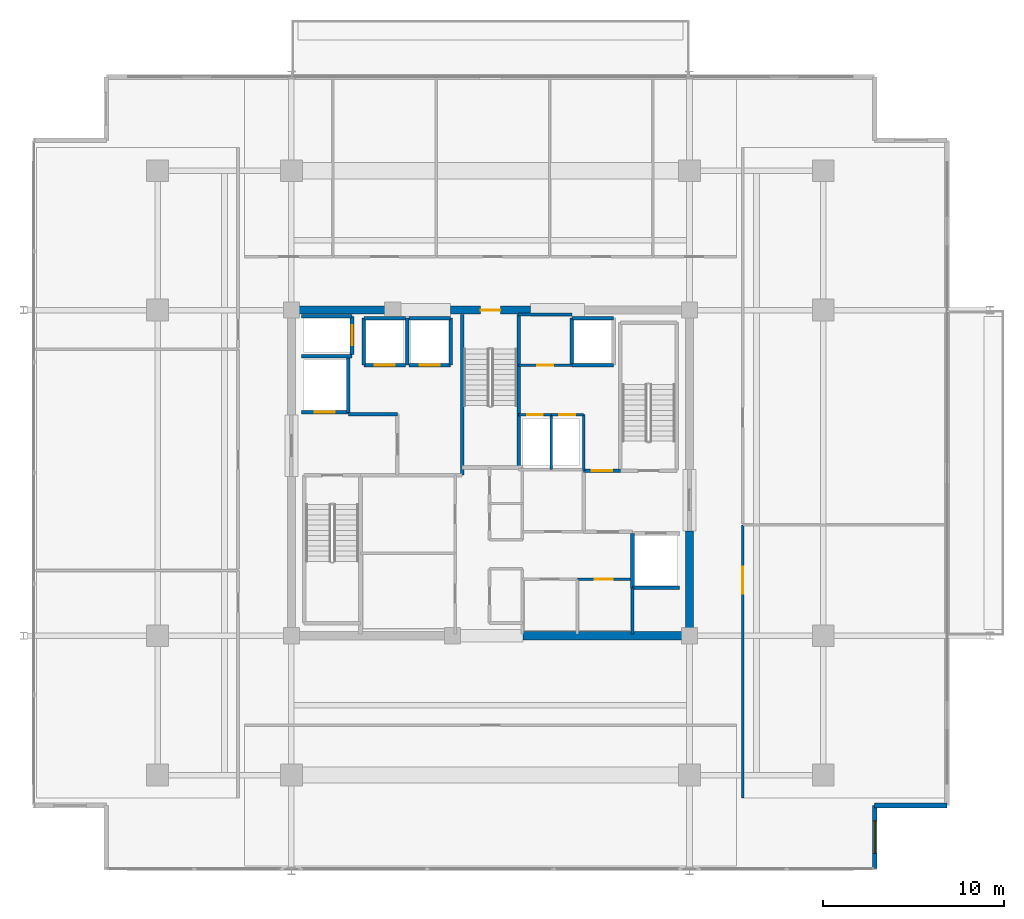
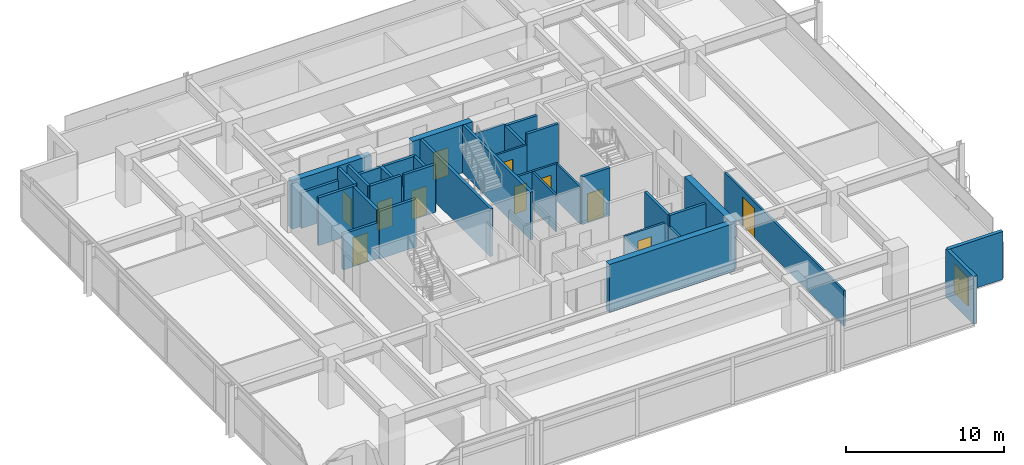
# One storey, part 14 of 20: 36 walls, 11 doors, 1 window, 12 openings.
"""IFC4 building model written with IfcOpenShell, lengths in metres."""

from ifc_helpers import new_model, si_unit, direction, frame, frame_2d, origin, place, context, subcontext, project, spatial, rectangle, extrude, material, layer, layer_set, type_object, element, fill, save


model = new_model("IFC4")

# Units and contexts
model_context = context("Model", 3, precision=1e-05, world=origin(), true_north=direction((0.0, 1.0)))
body_context = subcontext(model_context, "Body", "Model", "MODEL_VIEW")
ifc_project = project(units=[si_unit("LENGTHUNIT", "METRE"), si_unit("AREAUNIT", "SQUARE_METRE"), si_unit("VOLUMEUNIT", "CUBIC_METRE"), si_unit("PLANEANGLEUNIT", "RADIAN"), si_unit("MASSUNIT", "GRAM", prefix="KILO")], contexts=[model_context])

# Site, building, storey
site_placement = place(None, origin())
site = spatial("IfcSite", under=ifc_project, at=site_placement, CompositionType="ELEMENT")
building_placement = place(site_placement, origin())
building = spatial("IfcBuilding", under=site, at=building_placement, Name="Kovane Verandah Tower", CompositionType="ELEMENT")
storey_placement = place(building_placement, frame((0.0, 0.0, 291.199951171875)))
storey = spatial("IfcBuildingStorey", under=building, at=storey_placement, Name="L68", CompositionType="ELEMENT", Elevation=291.199951171875)

# Wall
ifc_material_1 = material(Name="Fire-Rated Gypsum Stud Partition", Category="gypsum")
ifc_layer_1 = layer(ifc_material_1, 0.14990234375)
ifc_layer_set_1 = layer_set([ifc_layer_1], Name="Fire-Rated Gypsum Stud Partition")
wall_type_1 = type_object("IfcWallType", Name="WL-COR-150", PredefinedType="PARTITIONING", material=ifc_layer_set_1)
wall_1_placement = place(storey_placement, frame((47.85009765625, 18.60009765625, 0.0), z_axis=(0.0, 0.0, 1.0), x_axis=(0.0, 1.0, 0.0)))
element("IfcWall", 1, at=wall_1_placement, inside=storey, type_object=wall_type_1, Name="L68 East Core Support East Wall", PredefinedType="PARTITIONING", context=body_context, shape_type="SweptSolid", body=[
    extrude(rectangle(XDim=2.539794921875, YDim=0.14990234375, at=frame_2d((1.27001953125, 0.0))), origin(), (0.0, 0.0, 1.0), 2.85009765625),
])

# Wall, opening, door
wall_2_placement = place(storey_placement, frame((44.800048828125, 21.6201171875, 0.0), z_axis=(0.0, 0.0, 1.0), x_axis=(1.0, 0.0, 0.0)))
wall_2 = element("IfcWall", 2, at=wall_2_placement, inside=storey, type_object=wall_type_1, Name="L68 East IT Server Room Partition", PredefinedType="PARTITIONING", context=body_context, shape_type="SweptSolid", body=[
    extrude(rectangle(XDim=2.93994140625, YDim=0.14990234375, at=frame_2d((1.469970703125, 0.0))), origin(), (0.0, 0.0, 1.0), 2.85009765625),
])
opening_1_placement = place(wall_2_placement, frame((0.969970703125, 0.0, 0.0)))
opening_1 = element("IfcOpeningElement", 3, at=opening_1_placement, cuts=wall_2, Name="Opening DR-L68-016", PredefinedType="OPENING", context=body_context, shape_type="SweptSolid", body=[
    extrude(rectangle(XDim=1.0, YDim=2.14990234375, at=frame_2d((0.5, 1.074951171875))), frame((0.0, 0.074951171875, 0.0), z_axis=(0.0, -1.0, 0.0), x_axis=(1.0, 0.0, 0.0)), (0.0, 0.0, 1.0), 0.14990234375),
])
ifc_material_2 = material(Name="FSC Spotted-Gum Timber Fire-Rated Office Door", Category="wood")
door_type_1 = type_object("IfcDoorType", Name="DR-OFF-1000", OperationType="SINGLE_SWING_LEFT", PredefinedType="DOOR", material=ifc_material_2)
door_1_placement = place(opening_1_placement, origin())
door_1 = element("IfcDoor", 4, at=door_1_placement, inside=storey, type_object=door_type_1, Name="L68 East IT Server Room Door", OperationType="SINGLE_SWING_RIGHT", OverallHeight=2.14990234375, OverallWidth=1.0, PredefinedType="DOOR", context=body_context, shape_type="SweptSolid", body=[
    extrude(rectangle(XDim=1.0, YDim=2.14990234375, at=frame_2d((0.5, 1.074951171875))), frame((0.0, 0.02490234375, 0.0), z_axis=(0.0, -1.0, 0.0), x_axis=(1.0, 0.0, 0.0)), (0.0, 0.0, 1.0), 0.050048828125),
])
fill(opening_1, door_1)

# Wall
wall_3_placement = place(storey_placement, frame((45.14990234375, 27.6201171875, 0.0), z_axis=(0.0, 0.0, 1.0), x_axis=(0.0, 1.0, 0.0)))
element("IfcWall", 5, at=wall_3_placement, inside=storey, type_object=wall_type_1, Name="L68 East Core Service Riser East Wall", PredefinedType="PARTITIONING", context=body_context, shape_type="SweptSolid", body=[
    extrude(rectangle(XDim=3.099853515625, YDim=0.14990234375, at=frame_2d((1.5498046875, 0.0))), origin(), (0.0, 0.0, 1.0), 2.85009765625),
])

# Wall, opening, door
wall_4_placement = place(storey_placement, frame((41.56005859375, 30.719970703125, 0.0), z_axis=(0.0, 0.0, 1.0), x_axis=(1.0, 0.0, 0.0)))
wall_4 = element("IfcWall", 6, at=wall_4_placement, inside=storey, type_object=wall_type_1, Name="L68 Chilled Water Riser Room Partition", PredefinedType="PARTITIONING", context=body_context, shape_type="SweptSolid", body=[
    extrude(rectangle(XDim=1.800048828125, YDim=0.14990234375, at=frame_2d((0.89990234375, 0.0))), origin(), (0.0, 0.0, 1.0), 2.85009765625),
])
opening_2_placement = place(wall_4_placement, frame((0.4599609375, 0.0, 0.0)))
opening_2 = element("IfcOpeningElement", 7, at=opening_2_placement, cuts=wall_4, Name="Opening DR-L68-019", PredefinedType="OPENING", context=body_context, shape_type="SweptSolid", body=[
    extrude(rectangle(XDim=0.8798828125, YDim=2.10009765625, at=frame_2d((0.43994140625, 1.050048828125))), frame((0.0, 0.074951171875, 0.0), z_axis=(0.0, -1.0, 0.0), x_axis=(1.0, 0.0, 0.0)), (0.0, 0.0, 1.0), 0.14990234375),
])
ifc_material_3 = material(Name="Fire-Rated Steel Riser Access Door", Category="steel")
door_type_2 = type_object("IfcDoorType", Name="DR-RISER-880", OperationType="SINGLE_SWING_LEFT", PredefinedType="DOOR", material=ifc_material_3)
door_2_placement = place(opening_2_placement, origin())
door_2 = element("IfcDoor", 8, at=door_2_placement, inside=storey, type_object=door_type_2, Name="L68 Chilled Water Riser Room Door", OperationType="SINGLE_SWING_RIGHT", OverallHeight=2.10009765625, OverallWidth=0.8798828125, PredefinedType="DOOR", context=body_context, shape_type="SweptSolid", body=[
    extrude(rectangle(XDim=0.8798828125, YDim=2.10009765625, at=frame_2d((0.43994140625, 1.050048828125))), frame((0.0, 0.02490234375, 0.0), z_axis=(0.0, -1.0, 0.0), x_axis=(1.0, 0.0, 0.0)), (0.0, 0.0, 1.0), 0.050048828125),
])
fill(opening_2, door_2)

wall_5_placement = place(storey_placement, frame((43.360107421875, 30.719970703125, 0.0), z_axis=(0.0, 0.0, 1.0), x_axis=(1.0, 0.0, 0.0)))
wall_5 = element("IfcWall", 9, at=wall_5_placement, inside=storey, type_object=wall_type_1, Name="L68 Smoke Extract Duct Room Partition", PredefinedType="PARTITIONING", context=body_context, shape_type="SweptSolid", body=[
    extrude(rectangle(XDim=1.789794921875, YDim=0.14990234375, at=frame_2d((0.89501953125, 0.0))), origin(), (0.0, 0.0, 1.0), 2.85009765625),
])
opening_3_placement = place(wall_5_placement, frame((0.455078125, 0.0, 0.0)))
opening_3 = element("IfcOpeningElement", 10, at=opening_3_placement, cuts=wall_5, Name="Opening DR-L68-020", PredefinedType="OPENING", context=body_context, shape_type="SweptSolid", body=[
    extrude(rectangle(XDim=0.8798828125, YDim=2.10009765625, at=frame_2d((0.43994140625, 1.050048828125))), frame((0.0, 0.074951171875, 0.0), z_axis=(0.0, -1.0, 0.0), x_axis=(1.0, 0.0, 0.0)), (0.0, 0.0, 1.0), 0.14990234375),
])
door_3_placement = place(opening_3_placement, origin())
door_3 = element("IfcDoor", 11, at=door_3_placement, inside=storey, type_object=door_type_2, Name="L68 Smoke Extract Duct Room Door", OperationType="SINGLE_SWING_LEFT", OverallHeight=2.10009765625, OverallWidth=0.8798828125, PredefinedType="DOOR", context=body_context, shape_type="SweptSolid", body=[
    extrude(rectangle(XDim=0.8798828125, YDim=2.10009765625, at=frame_2d((0.43994140625, 1.050048828125))), frame((0.0, 0.02490234375, 0.0), z_axis=(0.0, -1.0, 0.0), x_axis=(1.0, 0.0, 0.0)), (0.0, 0.0, 1.0), 0.050048828125),
])
fill(opening_3, door_3)

# Wall
wall_6_placement = place(storey_placement, frame((41.56005859375, 36.25, 0.0), z_axis=(0.0, 0.0, 1.0), x_axis=(1.0, 0.0, 0.0)))
element("IfcWall", 12, at=wall_6_placement, inside=storey, type_object=wall_type_1, Name="L68 Sky Telecom Riser North Wall", PredefinedType="PARTITIONING", context=body_context, shape_type="SweptSolid", body=[
    extrude(rectangle(XDim=2.93994140625, YDim=0.14990234375, at=frame_2d((1.469970703125, 0.0))), origin(), (0.0, 0.0, 1.0), 2.780029296875),
])

# Wall, opening, door
wall_7_placement = place(storey_placement, frame((41.56005859375, 33.449951171875, 0.0), z_axis=(0.0, 0.0, 1.0), x_axis=(1.0, 0.0, 0.0)))
wall_7 = element("IfcWall", 13, at=wall_7_placement, inside=storey, type_object=wall_type_1, Name="L68 Sky Telecom Riser Room Partition", PredefinedType="PARTITIONING", context=body_context, shape_type="SweptSolid", body=[
    extrude(rectangle(XDim=2.93994140625, YDim=0.14990234375, at=frame_2d((1.469970703125, 0.0))), origin(), (0.0, 0.0, 1.0), 2.85009765625),
])
opening_4_placement = place(wall_7_placement, frame((1.030029296875, 0.0, 0.0)))
opening_4 = element("IfcOpeningElement", 14, at=opening_4_placement, cuts=wall_7, Name="Opening DR-L68-018", PredefinedType="OPENING", context=body_context, shape_type="SweptSolid", body=[
    extrude(rectangle(XDim=0.8798828125, YDim=2.10009765625, at=frame_2d((0.43994140625, 1.050048828125))), frame((0.0, 0.074951171875, 0.0), z_axis=(0.0, -1.0, 0.0), x_axis=(1.0, 0.0, 0.0)), (0.0, 0.0, 1.0), 0.14990234375),
])
door_4_placement = place(opening_4_placement, origin())
door_4 = element("IfcDoor", 15, at=door_4_placement, inside=storey, type_object=door_type_2, Name="L68 Sky Telecom Riser Room Door", OperationType="SINGLE_SWING_RIGHT", OverallHeight=2.10009765625, OverallWidth=0.8798828125, PredefinedType="DOOR", context=body_context, shape_type="SweptSolid", body=[
    extrude(rectangle(XDim=0.8798828125, YDim=2.10009765625, at=frame_2d((0.43994140625, 1.050048828125))), frame((0.0, 0.02490234375, 0.0), z_axis=(0.0, -1.0, 0.0), x_axis=(1.0, 0.0, 0.0)), (0.0, 0.0, 1.0), 0.050048828125),
])
fill(opening_4, door_4)

wall_8_placement = place(storey_placement, frame((53.949951171875, 9.519287109375, 0.0), z_axis=(0.0, 0.0, 1.0), x_axis=(0.0, 1.0, 0.0)))
wall_8 = element("IfcWall", 16, at=wall_8_placement, inside=storey, type_object=wall_type_1, Name="L68 Client Boardroom E1 Corridor Partition", PredefinedType="PARTITIONING", context=body_context, shape_type="SweptSolid", body=[
    extrude(rectangle(XDim=15.103759765625, YDim=0.14990234375, at=frame_2d((7.5517578125, 0.0))), origin(), (0.0, 0.0, 1.0), 2.75341796875),
])
opening_5_placement = place(wall_8_placement, frame((11.30712890625, 0.0, 0.0)))
opening_5 = element("IfcOpeningElement", 17, at=opening_5_placement, cuts=wall_8, Name="Opening DR-L68-011", PredefinedType="OPENING", context=body_context, shape_type="SweptSolid", body=[
    extrude(rectangle(XDim=1.5, YDim=2.25, at=frame_2d((0.75, 1.125))), frame((0.0, 0.074951171875, 0.0), z_axis=(0.0, -1.0, 0.0), x_axis=(1.0, 0.0, 0.0)), (0.0, 0.0, 1.0), 0.14990234375),
])
ifc_material_4 = material(Name="Glazed Timber Fire-Rated Double Door", Category="wood")
door_type_3 = type_object("IfcDoorType", Name="DR-CONF-1500", OperationType="DOUBLE_DOOR_SINGLE_SWING", PredefinedType="DOOR", material=ifc_material_4)
door_5_placement = place(opening_5_placement, origin())
door_5 = element("IfcDoor", 18, at=door_5_placement, inside=storey, type_object=door_type_3, Name="L68 Client Boardroom E1 Entrance Door", OperationType="DOUBLE_DOOR_SINGLE_SWING", OverallHeight=2.25, OverallWidth=1.5, PredefinedType="DOOR", context=body_context, shape_type="SweptSolid", body=[
    extrude(rectangle(XDim=1.5, YDim=2.25, at=frame_2d((0.75, 1.125))), frame((0.0, 0.02490234375, 0.0), z_axis=(0.0, -1.0, 0.0), x_axis=(1.0, 0.0, 0.0)), (0.0, 0.0, 1.0), 0.050048828125),
])
fill(opening_5, door_5)

# Walls
ifc_material_5 = material(Name="Concrete C60/75", Category="concrete")
ifc_layer_2 = layer(ifc_material_5, 0.449951171875)
ifc_layer_set_2 = layer_set([ifc_layer_2], Name="Concrete C60/75")
wall_type_2 = type_object("IfcWallType", Name="WL-CORE-450", PredefinedType="SHEAR", material=ifc_layer_set_2)
wall_9_placement = place(storey_placement, frame((41.800048828125, 18.5, 0.0), z_axis=(0.0, 0.0, 1.0), x_axis=(1.0, 0.0, 0.0)))
element("IfcWall", 19, at=wall_9_placement, inside=storey, type_object=wall_type_2, Name="L68 Core Shear Wall CS-2", PredefinedType="SHEAR", context=body_context, shape_type="SweptSolid", body=[
    extrude(rectangle(XDim=9.199951171875, YDim=0.449951171875, at=frame_2d((4.60009765625, 0.0))), origin(), (0.0, 0.0, 1.0), 3.699951171875),
])
wall_10_placement = place(storey_placement, frame((29.0, 36.5, 0.0), z_axis=(0.0, 0.0, 1.0), x_axis=(1.0, 0.0, 0.0)))
element("IfcWall", 20, at=wall_10_placement, inside=storey, type_object=wall_type_2, Name="L68 Core Shear Wall CN-1", PredefinedType="SHEAR", context=body_context, shape_type="SweptSolid", body=[
    extrude(rectangle(XDim=5.800048828125, YDim=0.449951171875, at=frame_2d((2.89990234375, 0.0))), origin(), (0.0, 0.0, 1.0), 3.699951171875),
])

# Wall, opening, door
wall_11_placement = place(storey_placement, frame((37.800048828125, 36.5, 0.0), z_axis=(0.0, 0.0, 1.0), x_axis=(1.0, 0.0, 0.0)))
wall_11 = element("IfcWall", 21, at=wall_11_placement, inside=storey, type_object=wall_type_2, Name="L68 Core Shear Wall CN-2", PredefinedType="SHEAR", context=body_context, shape_type="SweptSolid", body=[
    extrude(rectangle(XDim=4.39990234375, YDim=0.449951171875, at=frame_2d((2.199951171875, 0.0))), origin(), (0.0, 0.0, 1.0), 3.699951171875),
])
opening_6_placement = place(wall_11_placement, frame((1.64990234375, 0.0, 0.0)))
opening_6 = element("IfcOpeningElement", 22, at=opening_6_placement, cuts=wall_11, Name="Opening DR-L68-010", PredefinedType="OPENING", context=body_context, shape_type="SweptSolid", body=[
    extrude(rectangle(XDim=1.10009765625, YDim=2.14990234375, at=frame_2d((0.550048828125, 1.074951171875))), frame((0.0, 0.22509765625, 0.0), z_axis=(0.0, -1.0, 0.0), x_axis=(1.0, 0.0, 0.0)), (0.0, 0.0, 1.0), 0.449951171875),
])
ifc_material_6 = material(Name="Fire-Rated Steel Exit Door", Category="steel")
door_type_4 = type_object("IfcDoorType", Name="DR-STAIR-1100", OperationType="SINGLE_SWING_LEFT", PredefinedType="DOOR", material=ifc_material_6)
door_6_placement = place(opening_6_placement, origin())
door_6 = element("IfcDoor", 23, at=door_6_placement, inside=storey, type_object=door_type_4, Name="L68 ST-03 Fire Exit Stair Door", OperationType="SINGLE_SWING_LEFT", OverallHeight=2.14990234375, OverallWidth=1.10009765625, PredefinedType="DOOR", context=body_context, shape_type="SweptSolid", body=[
    extrude(rectangle(XDim=1.10009765625, YDim=2.14990234375, at=frame_2d((0.550048828125, 1.074951171875))), frame((0.0, 0.02490234375, 0.0), z_axis=(0.0, -1.0, 0.0), x_axis=(1.0, 0.0, 0.0)), (0.0, 0.0, 1.0), 0.050048828125),
])
fill(opening_6, door_6)

# Walls
wall_12_placement = place(storey_placement, frame((51.0, 18.5, 0.0), z_axis=(0.0, 0.0, 1.0), x_axis=(0.0, 1.0, 0.0)))
element("IfcWall", 24, at=wall_12_placement, inside=storey, type_object=wall_type_2, Name="L68 Core Shear Wall CE-1", PredefinedType="SHEAR", context=body_context, shape_type="SweptSolid", body=[
    extrude(rectangle(XDim=5.800048828125, YDim=0.449951171875, at=frame_2d((2.89990234375, 0.0))), origin(), (0.0, 0.0, 1.0), 3.699951171875),
])
ifc_material_7 = material(Name="Concrete C45/55 Fire Wall", Category="concrete")
ifc_layer_3 = layer(ifc_material_7, 0.199951171875)
ifc_layer_set_3 = layer_set([ifc_layer_3], Name="Concrete C45/55 Fire Wall")
wall_type_3 = type_object("IfcWallType", Name="WL-FFL-200", PredefinedType="PARTITIONING", material=ifc_layer_set_3)
wall_13_placement = place(storey_placement, frame((32.14990234375, 30.75, 0.0), z_axis=(0.0, 0.0, 1.0), x_axis=(1.0, 0.0, 0.0)))
element("IfcWall", 25, at=wall_13_placement, inside=storey, type_object=wall_type_3, Name="L68 West Firefighting Lobby North Fire Wall", PredefinedType="PARTITIONING", context=body_context, shape_type="SweptSolid", body=[
    extrude(rectangle(XDim=2.7001953125, YDim=0.199951171875, at=frame_2d((1.35009765625, 0.0))), origin(), (0.0, 0.0, 1.0), 3.699951171875),
])

# Wall, opening, door
wall_14_placement = place(storey_placement, frame((45.14990234375, 27.6201171875, 0.0), z_axis=(0.0, 0.0, 1.0), x_axis=(1.0, 0.0, 0.0)))
wall_14 = element("IfcWall", 26, at=wall_14_placement, inside=storey, type_object=wall_type_3, Name="W-L68-FFLE-N", PredefinedType="PARTITIONING", context=body_context, shape_type="SweptSolid", body=[
    extrude(rectangle(XDim=2.030029296875, YDim=0.199951171875, at=frame_2d((1.01513671875, 0.0))), origin(), (0.0, 0.0, 1.0), 3.699951171875),
])
opening_7_placement = place(wall_14_placement, frame((0.43994140625, 0.0, 0.0)))
opening_7 = element("IfcOpeningElement", 27, at=opening_7_placement, cuts=wall_14, Name="Opening DR-L68-004", PredefinedType="OPENING", context=body_context, shape_type="SweptSolid", body=[
    extrude(rectangle(XDim=1.14990234375, YDim=2.199951171875, at=frame_2d((0.574951171875, 1.10009765625))), frame((0.0, 0.10009765625, 0.0), z_axis=(0.0, -1.0, 0.0), x_axis=(1.0, 0.0, 0.0)), (0.0, 0.0, 1.0), 0.199951171875),
])
ifc_material_8 = material(Name="Smoke-Sealed Firefighting Lobby Door", Category="steel")
door_type_5 = type_object("IfcDoorType", Name="DR-FFL-1150", OperationType="SINGLE_SWING_LEFT", PredefinedType="DOOR", material=ifc_material_8)
door_7_placement = place(opening_7_placement, origin())
door_7 = element("IfcDoor", 28, at=door_7_placement, inside=storey, type_object=door_type_5, Name="L68 East Firefighting Lobby Shuttle Link Door", OperationType="SINGLE_SWING_LEFT", OverallHeight=2.199951171875, OverallWidth=1.14990234375, PredefinedType="DOOR", context=body_context, shape_type="SweptSolid", body=[
    extrude(rectangle(XDim=1.14990234375, YDim=2.199951171875, at=frame_2d((0.574951171875, 1.10009765625))), frame((0.0, 0.02490234375, 0.0), z_axis=(0.0, -1.0, 0.0), x_axis=(1.0, 0.0, 0.0)), (0.0, 0.0, 1.0), 0.050048828125),
])
fill(opening_7, door_7)

ifc_material_9 = material(Name="Concrete C45/55 Lift Shaft Wall", Category="concrete")
ifc_layer_4 = layer(ifc_material_9, 0.199951171875)
ifc_layer_set_4 = layer_set([ifc_layer_4], Name="Concrete C45/55 Lift Shaft Wall")
wall_type_4 = type_object("IfcWallType", Name="WL-LIFT-200", PredefinedType="SOLIDWALL", material=ifc_layer_set_4)
wall_15_placement = place(storey_placement, frame((29.550048828125, 30.85009765625, 0.0), z_axis=(0.0, 0.0, 1.0), x_axis=(1.0, 0.0, 0.0)))
wall_15 = element("IfcWall", 29, at=wall_15_placement, inside=storey, type_object=wall_type_4, Name="L68 Lift FL-01 S Shaft Wall", PredefinedType="SOLIDWALL", context=body_context, shape_type="SweptSolid", body=[
    extrude(rectangle(XDim=2.599853515625, YDim=0.199951171875, at=frame_2d((1.2998046875, 0.0))), origin(), (0.0, 0.0, 1.0), 2.780029296875),
])
opening_8_placement = place(wall_15_placement, frame((0.75, 0.0, 0.0)))
opening_8 = element("IfcOpeningElement", 30, at=opening_8_placement, cuts=wall_15, Name="Opening LD-L68-001", PredefinedType="OPENING", context=body_context, shape_type="SweptSolid", body=[
    extrude(rectangle(XDim=1.10009765625, YDim=2.199951171875, at=frame_2d((0.550048828125, 1.10009765625))), frame((0.0, 0.10009765625, 0.0), z_axis=(0.0, -1.0, 0.0), x_axis=(1.0, 0.0, 0.0)), (0.0, 0.0, 1.0), 0.199951171875),
])
ifc_material_10 = material(Name="Brushed Stainless Steel Sliding Lift Landing Door", Category="steel")
door_type_6 = type_object("IfcDoorType", Name="DR-LIFT-1100", OperationType="SLIDING_TO_RIGHT", PredefinedType="DOOR", material=ifc_material_10)
door_8_placement = place(opening_8_placement, origin())
door_8 = element("IfcDoor", 31, at=door_8_placement, inside=storey, type_object=door_type_6, Name="L68 Lift FL-01 Sliding Landing Door", OperationType="SLIDING_TO_RIGHT", OverallHeight=2.199951171875, OverallWidth=1.10009765625, PredefinedType="DOOR", context=body_context, shape_type="SweptSolid", body=[
    extrude(rectangle(XDim=1.10009765625, YDim=2.199951171875, at=frame_2d((0.550048828125, 1.10009765625))), frame((0.0, 0.02490234375, 0.0), z_axis=(0.0, -1.0, 0.0), x_axis=(1.0, 0.0, 0.0)), (0.0, 0.0, 1.0), 0.050048828125),
])
fill(opening_8, door_8)

# Walls
wall_16_placement = place(storey_placement, frame((29.550048828125, 33.949951171875, 0.0), z_axis=(0.0, 0.0, 1.0), x_axis=(1.0, 0.0, 0.0)))
element("IfcWall", 32, at=wall_16_placement, inside=storey, type_object=wall_type_4, Name="L68 Lift FL-01 and GL-01 Shared Shaft Wall", PredefinedType="SOLIDWALL", context=body_context, shape_type="SweptSolid", body=[
    extrude(rectangle(XDim=2.800048828125, YDim=0.199951171875, at=frame_2d((1.39990234375, 0.0))), origin(), (0.0, 0.0, 1.0), 3.699951171875),
])
wall_17_placement = place(storey_placement, frame((32.14990234375, 30.85009765625, 0.0), z_axis=(0.0, 0.0, 1.0), x_axis=(0.0, 1.0, 0.0)))
element("IfcWall", 33, at=wall_17_placement, inside=storey, type_object=wall_type_4, Name="L68 Lift FL-01 E Shaft Wall", PredefinedType="SOLIDWALL", context=body_context, shape_type="SweptSolid", body=[
    extrude(rectangle(XDim=3.0, YDim=0.199951171875, at=frame_2d((1.5, 0.0))), origin(), (0.0, 0.0, 1.0), 3.699951171875),
])
wall_18_placement = place(storey_placement, frame((47.85009765625, 21.14990234375, 0.0), z_axis=(0.0, 0.0, 1.0), x_axis=(1.0, 0.0, 0.0)))
element("IfcWall", 34, at=wall_18_placement, inside=storey, type_object=wall_type_4, Name="L68 Lift FL-02 S Shaft Wall", PredefinedType="SOLIDWALL", context=body_context, shape_type="SweptSolid", body=[
    extrude(rectangle(XDim=2.599853515625, YDim=0.199951171875, at=frame_2d((1.2998046875, 0.0))), origin(), (0.0, 0.0, 1.0), 3.699951171875),
])
wall_19_placement = place(storey_placement, frame((47.85009765625, 24.14990234375, 0.0), z_axis=(0.0, 0.0, 1.0), x_axis=(0.0, -1.0, 0.0)))
element("IfcWall", 35, at=wall_19_placement, inside=storey, type_object=wall_type_4, Name="L68 Lift FL-02 W Shaft Wall", PredefinedType="SOLIDWALL", context=body_context, shape_type="SweptSolid", body=[
    extrude(rectangle(XDim=3.0, YDim=0.199951171875, at=frame_2d((1.5, 0.0))), origin(), (0.0, 0.0, 1.0), 3.699951171875),
])
wall_20_placement = place(storey_placement, frame((32.35009765625, 36.14990234375, 0.0), z_axis=(0.0, 0.0, 1.0), x_axis=(-1.0, 0.0, 0.0)))
element("IfcWall", 36, at=wall_20_placement, inside=storey, type_object=wall_type_4, Name="L68 Lift GL-01 N Shaft Wall", PredefinedType="SOLIDWALL", context=body_context, shape_type="SweptSolid", body=[
    extrude(rectangle(XDim=2.800048828125, YDim=0.199951171875, at=frame_2d((1.39990234375, 0.0))), origin(), (0.0, 0.0, 1.0), 2.75341796875),
])

# Wall, opening, door
wall_21_placement = place(storey_placement, frame((32.35009765625, 34.050048828125, 0.0), z_axis=(0.0, 0.0, 1.0), x_axis=(0.0, 1.0, 0.0)))
wall_21 = element("IfcWall", 37, at=wall_21_placement, inside=storey, type_object=wall_type_4, Name="L68 Lift GL-01 E Shaft Wall", PredefinedType="SOLIDWALL", context=body_context, shape_type="SweptSolid", body=[
    extrude(rectangle(XDim=2.099853515625, YDim=0.199951171875, at=frame_2d((1.0498046875, 0.0))), origin(), (0.0, 0.0, 1.0), 3.699951171875),
])
opening_9_placement = place(wall_21_placement, frame((0.5, 0.0, 0.0)))
opening_9 = element("IfcOpeningElement", 38, at=opening_9_placement, cuts=wall_21, Name="Opening LD-L68-003", PredefinedType="OPENING", context=body_context, shape_type="SweptSolid", body=[
    extrude(rectangle(XDim=1.10009765625, YDim=2.199951171875, at=frame_2d((0.550048828125, 1.10009765625))), frame((0.0, 0.10009765625, 0.0), z_axis=(0.0, -1.0, 0.0), x_axis=(1.0, 0.0, 0.0)), (0.0, 0.0, 1.0), 0.199951171875),
])
door_9_placement = place(opening_9_placement, origin())
door_9 = element("IfcDoor", 39, at=door_9_placement, inside=storey, type_object=door_type_6, Name="L68 Lift GL-01 Sliding Landing Door", OperationType="SLIDING_TO_RIGHT", OverallHeight=2.199951171875, OverallWidth=1.10009765625, PredefinedType="DOOR", context=body_context, shape_type="SweptSolid", body=[
    extrude(rectangle(XDim=1.10009765625, YDim=2.199951171875, at=frame_2d((0.550048828125, 1.10009765625))), frame((0.0, 0.02490234375, 0.0), z_axis=(0.0, -1.0, 0.0), x_axis=(1.0, 0.0, 0.0)), (0.0, 0.0, 1.0), 0.050048828125),
])
fill(opening_9, door_9)

wall_22_placement = place(storey_placement, frame((33.0, 33.449951171875, 0.0), z_axis=(0.0, 0.0, 1.0), x_axis=(1.0, 0.0, 0.0)))
wall_22 = element("IfcWall", 40, at=wall_22_placement, inside=storey, type_object=wall_type_4, Name="L68 Lift PL-H1 S Shaft Wall", PredefinedType="SOLIDWALL", context=body_context, shape_type="SweptSolid", body=[
    extrude(rectangle(XDim=2.300048828125, YDim=0.199951171875, at=frame_2d((1.14990234375, 0.0))), origin(), (0.0, 0.0, 1.0), 3.699951171875),
])
opening_10_placement = place(wall_22_placement, frame((0.60009765625, 0.0, 0.0)))
opening_10 = element("IfcOpeningElement", 41, at=opening_10_placement, cuts=wall_22, Name="Opening LD-L68-004", PredefinedType="OPENING", context=body_context, shape_type="SweptSolid", body=[
    extrude(rectangle(XDim=1.10009765625, YDim=2.199951171875, at=frame_2d((0.550048828125, 1.10009765625))), frame((0.0, 0.10009765625, 0.0), z_axis=(0.0, -1.0, 0.0), x_axis=(1.0, 0.0, 0.0)), (0.0, 0.0, 1.0), 0.199951171875),
])
door_10_placement = place(opening_10_placement, origin())
door_10 = element("IfcDoor", 42, at=door_10_placement, inside=storey, type_object=door_type_6, Name="L68 Lift PL-H1 Sliding Landing Door", OperationType="SLIDING_TO_RIGHT", OverallHeight=2.199951171875, OverallWidth=1.10009765625, PredefinedType="DOOR", context=body_context, shape_type="SweptSolid", body=[
    extrude(rectangle(XDim=1.10009765625, YDim=2.199951171875, at=frame_2d((0.550048828125, 1.10009765625))), frame((0.0, 0.02490234375, 0.0), z_axis=(0.0, -1.0, 0.0), x_axis=(1.0, 0.0, 0.0)), (0.0, 0.0, 1.0), 0.050048828125),
])
fill(opening_10, door_10)

# Walls
wall_23_placement = place(storey_placement, frame((35.300048828125, 36.050048828125, 0.0), z_axis=(0.0, 0.0, 1.0), x_axis=(-1.0, 0.0, 0.0)))
element("IfcWall", 43, at=wall_23_placement, inside=storey, type_object=wall_type_4, Name="L68 Lift PL-H1 N Shaft Wall", PredefinedType="SOLIDWALL", context=body_context, shape_type="SweptSolid", body=[
    extrude(rectangle(XDim=2.300048828125, YDim=0.199951171875, at=frame_2d((1.14990234375, 0.0))), origin(), (0.0, 0.0, 1.0), 2.780029296875),
])
wall_24_placement = place(storey_placement, frame((33.0, 36.050048828125, 0.0), z_axis=(0.0, 0.0, 1.0), x_axis=(0.0, -1.0, 0.0)))
element("IfcWall", 44, at=wall_24_placement, inside=storey, type_object=wall_type_4, Name="L68 Lift PL-H1 W Shaft Wall", PredefinedType="SOLIDWALL", context=body_context, shape_type="SweptSolid", body=[
    extrude(rectangle(XDim=2.60009765625, YDim=0.199951171875, at=frame_2d((1.300048828125, 0.0))), origin(), (0.0, 0.0, 1.0), 3.699951171875),
])
wall_25_placement = place(storey_placement, frame((35.39990234375, 33.449951171875, 0.0), z_axis=(0.0, 0.0, 1.0), x_axis=(0.0, 1.0, 0.0)))
element("IfcWall", 45, at=wall_25_placement, inside=storey, type_object=wall_type_4, Name="L68 Lift PL-H1 and PL-H2 Shared Shaft Wall", PredefinedType="SOLIDWALL", context=body_context, shape_type="SweptSolid", body=[
    extrude(rectangle(XDim=2.60009765625, YDim=0.199951171875, at=frame_2d((1.300048828125, 0.0))), origin(), (0.0, 0.0, 1.0), 2.780029296875),
])

# Wall, opening, door
wall_26_placement = place(storey_placement, frame((35.5, 33.449951171875, 0.0), z_axis=(0.0, 0.0, 1.0), x_axis=(1.0, 0.0, 0.0)))
wall_26 = element("IfcWall", 46, at=wall_26_placement, inside=storey, type_object=wall_type_4, Name="L68 Lift PL-H2 S Shaft Wall", PredefinedType="SOLIDWALL", context=body_context, shape_type="SweptSolid", body=[
    extrude(rectangle(XDim=2.300048828125, YDim=0.199951171875, at=frame_2d((1.14990234375, 0.0))), origin(), (0.0, 0.0, 1.0), 3.699951171875),
])
opening_11_placement = place(wall_26_placement, frame((0.60009765625, 0.0, 0.0)))
opening_11 = element("IfcOpeningElement", 47, at=opening_11_placement, cuts=wall_26, Name="Opening LD-L68-005", PredefinedType="OPENING", context=body_context, shape_type="SweptSolid", body=[
    extrude(rectangle(XDim=1.10009765625, YDim=2.199951171875, at=frame_2d((0.550048828125, 1.10009765625))), frame((0.0, 0.10009765625, 0.0), z_axis=(0.0, -1.0, 0.0), x_axis=(1.0, 0.0, 0.0)), (0.0, 0.0, 1.0), 0.199951171875),
])
door_11_placement = place(opening_11_placement, origin())
door_11 = element("IfcDoor", 48, at=door_11_placement, inside=storey, type_object=door_type_6, Name="L68 Lift PL-H2 Sliding Landing Door", OperationType="SLIDING_TO_RIGHT", OverallHeight=2.199951171875, OverallWidth=1.10009765625, PredefinedType="DOOR", context=body_context, shape_type="SweptSolid", body=[
    extrude(rectangle(XDim=1.10009765625, YDim=2.199951171875, at=frame_2d((0.550048828125, 1.10009765625))), frame((0.0, 0.02490234375, 0.0), z_axis=(0.0, -1.0, 0.0), x_axis=(1.0, 0.0, 0.0)), (0.0, 0.0, 1.0), 0.050048828125),
])
fill(opening_11, door_11)

# Walls
wall_27_placement = place(storey_placement, frame((37.800048828125, 36.050048828125, 0.0), z_axis=(0.0, 0.0, 1.0), x_axis=(-1.0, 0.0, 0.0)))
element("IfcWall", 49, at=wall_27_placement, inside=storey, type_object=wall_type_4, Name="L68 Lift PL-H2 N Shaft Wall", PredefinedType="SOLIDWALL", context=body_context, shape_type="SweptSolid", body=[
    extrude(rectangle(XDim=2.300048828125, YDim=0.199951171875, at=frame_2d((1.14990234375, 0.0))), origin(), (0.0, 0.0, 1.0), 2.780029296875),
])
wall_28_placement = place(storey_placement, frame((37.800048828125, 33.449951171875, 0.0), z_axis=(0.0, 0.0, 1.0), x_axis=(0.0, 1.0, 0.0)))
element("IfcWall", 50, at=wall_28_placement, inside=storey, type_object=wall_type_4, Name="L68 Lift PL-H2 E Shaft Wall", PredefinedType="SOLIDWALL", context=body_context, shape_type="SweptSolid", body=[
    extrude(rectangle(XDim=2.60009765625, YDim=0.199951171875, at=frame_2d((1.300048828125, 0.0))), origin(), (0.0, 0.0, 1.0), 2.780029296875),
])
wall_29_placement = place(storey_placement, frame((44.5, 33.449951171875, 0.0), z_axis=(0.0, 0.0, 1.0), x_axis=(1.0, 0.0, 0.0)))
element("IfcWall", 51, at=wall_29_placement, inside=storey, type_object=wall_type_4, Name="L68 Lift OL-01 S Shaft Wall", PredefinedType="SOLIDWALL", context=body_context, shape_type="SweptSolid", body=[
    extrude(rectangle(XDim=2.300048828125, YDim=0.199951171875, at=frame_2d((1.14990234375, 0.0))), origin(), (0.0, 0.0, 1.0), 3.699951171875),
])
wall_30_placement = place(storey_placement, frame((46.800048828125, 36.050048828125, 0.0), z_axis=(0.0, 0.0, 1.0), x_axis=(-1.0, 0.0, 0.0)))
element("IfcWall", 52, at=wall_30_placement, inside=storey, type_object=wall_type_4, Name="L68 Lift OL-01 N Shaft Wall", PredefinedType="SOLIDWALL", context=body_context, shape_type="SweptSolid", body=[
    extrude(rectangle(XDim=2.300048828125, YDim=0.199951171875, at=frame_2d((1.14990234375, 0.0))), origin(), (0.0, 0.0, 1.0), 2.780029296875),
])
wall_31_placement = place(storey_placement, frame((44.5, 36.050048828125, 0.0), z_axis=(0.0, 0.0, 1.0), x_axis=(0.0, -1.0, 0.0)))
element("IfcWall", 53, at=wall_31_placement, inside=storey, type_object=wall_type_4, Name="L68 Lift OL-01 W Shaft Wall", PredefinedType="SOLIDWALL", context=body_context, shape_type="SweptSolid", body=[
    extrude(rectangle(XDim=2.60009765625, YDim=0.199951171875, at=frame_2d((1.300048828125, 0.0))), origin(), (0.0, 0.0, 1.0), 2.780029296875),
])
ifc_material_11 = material(Name="Acoustic Fire-Rated Gypsum Partition", Category="gypsum")
ifc_layer_5 = layer(ifc_material_11, 0.1201171875)
ifc_layer_set_5 = layer_set([ifc_layer_5], Name="Acoustic Fire-Rated Gypsum Partition")
wall_type_5 = type_object("IfcWallType", Name="WL-PART-120", PredefinedType="PARTITIONING", material=ifc_layer_set_5)
wall_32_placement = place(storey_placement, frame((43.360107421875, 27.679931640625, 0.0), z_axis=(0.0, 0.0, 1.0), x_axis=(0.0, 1.0, 0.0)))
element("IfcWall", 54, at=wall_32_placement, inside=storey, type_object=wall_type_5, Name="L68 Service Riser Dividing Partition", PredefinedType="PARTITIONING", context=body_context, shape_type="SweptSolid", body=[
    extrude(rectangle(XDim=3.0400390625, YDim=0.1201171875, at=frame_2d((1.52001953125, 0.0))), origin(), (0.0, 0.0, 1.0), 2.85009765625),
])
ifc_material_12 = material(Name="Concrete C45/55", Category="concrete")
ifc_layer_6 = layer(ifc_material_12, 0.199951171875)
ifc_layer_set_6 = layer_set([ifc_layer_6], Name="Concrete C45/55")
wall_type_6 = type_object("IfcWallType", Name="WL-SHAFT-200", PredefinedType="SOLIDWALL", material=ifc_layer_set_6)
wall_33_placement = place(storey_placement, frame((38.43994140625, 27.3798828125, 0.0), z_axis=(0.0, 0.0, 1.0), x_axis=(0.0, 1.0, 0.0)))
element("IfcWall", 55, at=wall_33_placement, inside=storey, type_object=wall_type_6, Name="W-L68-ST03-W", PredefinedType="SOLIDWALL", context=body_context, shape_type="SweptSolid", body=[
    extrude(rectangle(XDim=8.8701171875, YDim=0.199951171875, at=frame_2d((4.43505859375, 0.0))), origin(), (0.0, 0.0, 1.0), 3.699951171875),
])
wall_34_placement = place(storey_placement, frame((41.56005859375, 27.679931640625, 0.0), z_axis=(0.0, 0.0, 1.0), x_axis=(0.0, 1.0, 0.0)))
element("IfcWall", 56, at=wall_34_placement, inside=storey, type_object=wall_type_6, Name="W-L68-ST03-E", PredefinedType="SOLIDWALL", context=body_context, shape_type="SweptSolid", body=[
    extrude(rectangle(XDim=8.570068359375, YDim=0.199951171875, at=frame_2d((4.28515625, 0.0))), origin(), (0.0, 0.0, 1.0), 3.699951171875),
])

# Wall, opening, window
ifc_material_13 = material(Name="Concrete C45/55 Insulated Spandrel Wall", Category="concrete")
ifc_layer_7 = layer(ifc_material_13, 0.260009765625)
ifc_layer_set_7 = layer_set([ifc_layer_7], Name="Concrete C45/55 Insulated Spandrel Wall")
wall_type_7 = type_object("IfcWallType", Name="WL-SPANDREL-260", PredefinedType="PARAPET", material=ifc_layer_set_7)
wall_35_placement = place(storey_placement, frame((61.231689453125, 5.619384765625, 0.0), z_axis=(0.0, 0.0, 1.0), x_axis=(0.0, 1.0, 0.0)))
wall_35 = element("IfcWall", 57, at=wall_35_placement, inside=storey, type_object=wall_type_7, Name="L68 SE Notch Cheek Wall 1", PredefinedType="PARAPET", context=body_context, shape_type="SweptSolid", body=[
    extrude(rectangle(XDim=3.5, YDim=0.260009765625, at=frame_2d((1.75, 0.0))), origin(), (0.0, 0.0, 1.0), 3.699951171875),
])
opening_12_placement = place(wall_35_placement, frame((0.85009765625, 0.0, 0.85009765625)))
opening_12 = element("IfcOpeningElement", 58, at=opening_12_placement, cuts=wall_35, Name="Opening W-03", PredefinedType="OPENING", context=body_context, shape_type="SweptSolid", body=[
    extrude(rectangle(XDim=1.800048828125, YDim=2.199951171875, at=frame_2d((0.89990234375, 1.10009765625))), frame((0.0, 0.1298828125, 0.0), z_axis=(0.0, -1.0, 0.0), x_axis=(1.0, 0.0, 0.0)), (0.0, 0.0, 1.0), 0.260009765625),
])
ifc_material_14 = material(Name="Clear Low-E Laminated Double Glazing in Anodised Frame", Category="glass")
window_type = type_object("IfcWindowType", Name="WN-NOTCH-1800x2200", PartitioningType="SINGLE_PANEL", PredefinedType="WINDOW", material=ifc_material_14)
window_placement = place(opening_12_placement, origin())
window = element("IfcWindow", 59, at=window_placement, inside=storey, type_object=window_type, Name="L68 SE Re-Entrant Corner Operable Window", OverallHeight=2.199951171875, OverallWidth=1.800048828125, PartitioningType="SINGLE_PANEL", PredefinedType="WINDOW", context=body_context, shape_type="SweptSolid", body=[
    extrude(rectangle(XDim=1.800048828125, YDim=2.199951171875, at=frame_2d((0.89990234375, 1.10009765625))), frame((0.0, 0.030029296875, 0.0), z_axis=(0.0, -1.0, 0.0), x_axis=(1.0, 0.0, 0.0)), (0.0, 0.0, 1.0), 0.06005859375),
])
fill(opening_12, window)

# Wall
wall_36_placement = place(storey_placement, frame((61.231689453125, 9.119384765625, 0.0), z_axis=(0.0, 0.0, 1.0), x_axis=(1.0, 0.0, 0.0)))
element("IfcWall", 60, at=wall_36_placement, inside=storey, type_object=wall_type_7, Name="L68 SE Notch Cheek Wall 2", PredefinedType="PARAPET", context=body_context, shape_type="SweptSolid", body=[
    extrude(rectangle(XDim=4.0, YDim=0.260009765625, at=frame_2d((2.0, 0.0))), origin(), (0.0, 0.0, 1.0), 3.699951171875),
])

save(model, "model.ifc")
